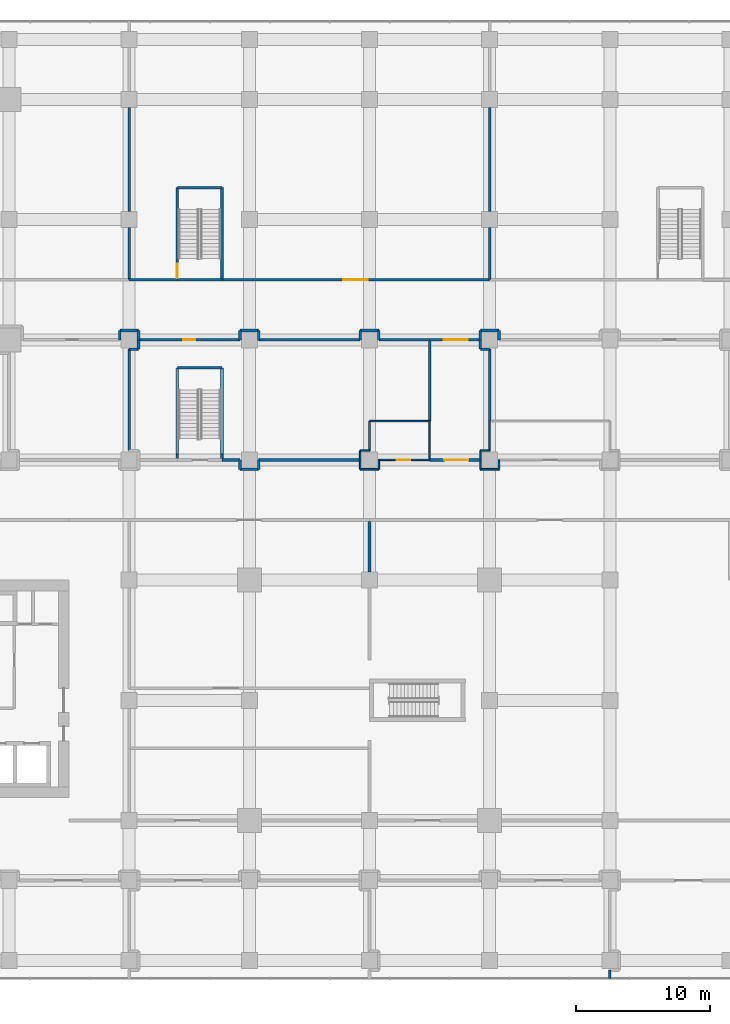
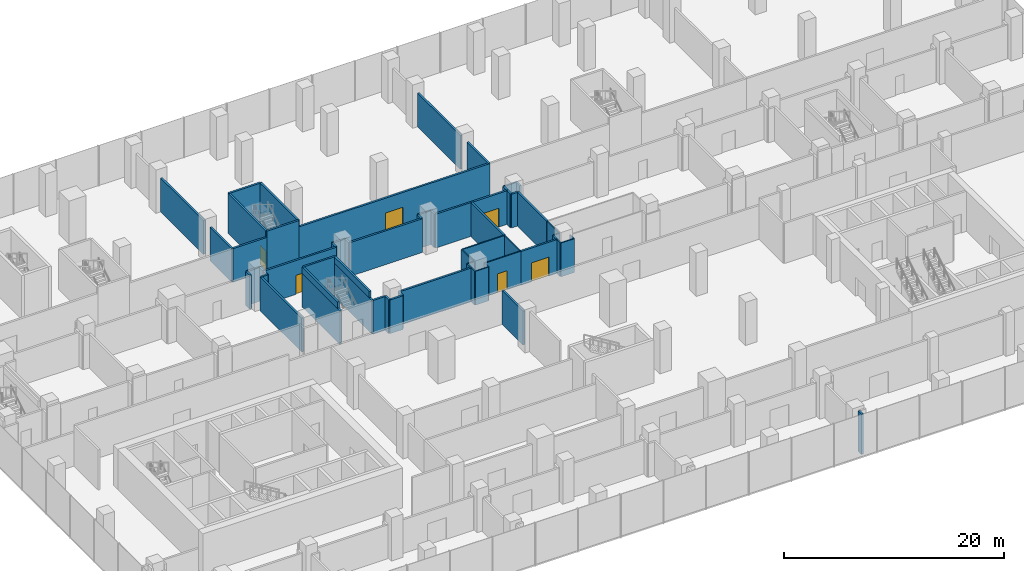
# One storey, part 32 of 42: 61 walls, 6 doors, 6 openings.
"""IFC4 building model written with IfcOpenShell, lengths in metres."""

from ifc_helpers import new_model, si_unit, direction, frame, frame_2d, origin, place, context, subcontext, project, spatial, rectangle, extrude, material, layer, layer_set, type_object, element, fill, save


model = new_model("IFC4")

# Units and contexts
model_context = context("Model", 3, precision=1e-05, world=origin(), true_north=direction((0.0, 1.0)))
body_context = subcontext(model_context, "Body", "Model", "MODEL_VIEW")
ifc_project = project(units=[si_unit("LENGTHUNIT", "METRE"), si_unit("AREAUNIT", "SQUARE_METRE"), si_unit("VOLUMEUNIT", "CUBIC_METRE"), si_unit("PLANEANGLEUNIT", "RADIAN"), si_unit("MASSUNIT", "GRAM", prefix="KILO")], contexts=[model_context])

# Site, building, storey
site_placement = place(None, origin())
site = spatial("IfcSite", under=ifc_project, at=site_placement, CompositionType="ELEMENT")
building_placement = place(site_placement, origin())
building = spatial("IfcBuilding", under=site, at=building_placement, Name="Plateau Cross Towers", CompositionType="ELEMENT")
storey_placement = place(building_placement, frame((0.0, 0.0, 8.0)))
storey = spatial("IfcBuildingStorey", under=building, at=storey_placement, Name="L01", CompositionType="ELEMENT", Elevation=8.0)

# Walls
ifc_material_1 = material(Name="Gypsum board on steel studs", Category="steel")
ifc_layer_1 = layer(ifc_material_1, 0.199951171875)
ifc_layer_set_1 = layer_set([ifc_layer_1], Name="Gypsum board on steel studs")
wall_type_1 = type_object("IfcWallType", Name="Podium partition 200", PredefinedType="PARTITIONING", material=ifc_layer_set_1)
wall_1_placement = place(storey_placement, frame((49.5, 36.0, 0.0), z_axis=(0.0, 0.0, 1.0), x_axis=(-1.0, 0.0, 0.0)))
element("IfcWall", 1, at=wall_1_placement, inside=storey, type_object=wall_type_1, Name="Partition wall", PredefinedType="PARTITIONING", context=body_context, shape_type="SweptSolid", body=[
    extrude(rectangle(XDim=3.800048828125, YDim=0.199951171875, at=frame_2d((1.89990234375, 0.0))), origin(), (0.0, 0.0, 1.0), 3.75),
])
wall_2_placement = place(storey_placement, frame((45.699951171875, 36.0, 0.0), z_axis=(0.0, 0.0, 1.0), x_axis=(0.0, 1.0, 0.0)))
element("IfcWall", 2, at=wall_2_placement, inside=storey, type_object=wall_type_1, Name="Partition wall", PredefinedType="PARTITIONING", context=body_context, shape_type="SweptSolid", body=[
    extrude(rectangle(XDim=0.699951171875, YDim=0.199951171875, at=frame_2d((0.35009765625, 0.0))), origin(), (0.0, 0.0, 1.0), 3.75),
])
wall_3_placement = place(storey_placement, frame((45.699951171875, 36.699951171875, 0.0), z_axis=(0.0, 0.0, 1.0), x_axis=(-1.0, 0.0, 0.0)))
element("IfcWall", 3, at=wall_3_placement, inside=storey, type_object=wall_type_1, Name="Partition wall", PredefinedType="PARTITIONING", context=body_context, shape_type="SweptSolid", body=[
    extrude(rectangle(XDim=1.39990234375, YDim=0.199951171875, at=frame_2d((0.699951171875, 0.0))), origin(), (0.0, 0.0, 1.0), 3.75),
])
wall_4_placement = place(storey_placement, frame((44.300048828125, 36.699951171875, 0.0), z_axis=(0.0, 0.0, 1.0), x_axis=(0.0, -1.0, 0.0)))
element("IfcWall", 4, at=wall_4_placement, inside=storey, type_object=wall_type_1, Name="Partition wall", PredefinedType="PARTITIONING", context=body_context, shape_type="SweptSolid", body=[
    extrude(rectangle(XDim=0.699951171875, YDim=0.199951171875, at=frame_2d((0.35009765625, 0.0))), origin(), (0.0, 0.0, 1.0), 3.75),
])
wall_5_placement = place(storey_placement, frame((44.300048828125, 36.0, 0.0), z_axis=(0.0, 0.0, 1.0), x_axis=(-1.0, 0.0, 0.0)))
element("IfcWall", 5, at=wall_5_placement, inside=storey, type_object=wall_type_1, Name="Partition wall", PredefinedType="PARTITIONING", context=body_context, shape_type="SweptSolid", body=[
    extrude(rectangle(XDim=7.60009765625, YDim=0.199951171875, at=frame_2d((3.800048828125, 0.0))), origin(), (0.0, 0.0, 1.0), 3.75),
])
wall_6_placement = place(storey_placement, frame((36.699951171875, 36.0, 0.0), z_axis=(0.0, 0.0, 1.0), x_axis=(0.0, 1.0, 0.0)))
element("IfcWall", 6, at=wall_6_placement, inside=storey, type_object=wall_type_1, Name="Partition wall", PredefinedType="PARTITIONING", context=body_context, shape_type="SweptSolid", body=[
    extrude(rectangle(XDim=0.699951171875, YDim=0.199951171875, at=frame_2d((0.35009765625, 0.0))), origin(), (0.0, 0.0, 1.0), 3.75),
])
wall_7_placement = place(storey_placement, frame((36.699951171875, 36.699951171875, 0.0), z_axis=(0.0, 0.0, 1.0), x_axis=(-1.0, 0.0, 0.0)))
element("IfcWall", 7, at=wall_7_placement, inside=storey, type_object=wall_type_1, Name="Partition wall", PredefinedType="PARTITIONING", context=body_context, shape_type="SweptSolid", body=[
    extrude(rectangle(XDim=1.39990234375, YDim=0.199951171875, at=frame_2d((0.699951171875, 0.0))), origin(), (0.0, 0.0, 1.0), 3.75),
])
wall_8_placement = place(storey_placement, frame((35.300048828125, 36.699951171875, 0.0), z_axis=(0.0, 0.0, 1.0), x_axis=(0.0, -1.0, 0.0)))
element("IfcWall", 8, at=wall_8_placement, inside=storey, type_object=wall_type_1, Name="Partition wall", PredefinedType="PARTITIONING", context=body_context, shape_type="SweptSolid", body=[
    extrude(rectangle(XDim=0.699951171875, YDim=0.199951171875, at=frame_2d((0.35009765625, 0.0))), origin(), (0.0, 0.0, 1.0), 3.75),
])

# Wall, opening, door
wall_9_placement = place(storey_placement, frame((35.300048828125, 36.0, 0.0), z_axis=(0.0, 0.0, 1.0), x_axis=(-1.0, 0.0, 0.0)))
wall_9 = element("IfcWall", 9, at=wall_9_placement, inside=storey, type_object=wall_type_1, Name="Partition wall", PredefinedType="PARTITIONING", context=body_context, shape_type="SweptSolid", body=[
    extrude(rectangle(XDim=7.60009765625, YDim=0.199951171875, at=frame_2d((3.800048828125, 0.0))), origin(), (0.0, 0.0, 1.0), 3.75),
])
opening_1_placement = place(wall_9_placement, frame((3.35009765625, 0.0, 0.0)))
opening_1 = element("IfcOpeningElement", 10, at=opening_1_placement, cuts=wall_9, Name="Opening 01-17", PredefinedType="OPENING", context=body_context, shape_type="SweptSolid", body=[
    extrude(rectangle(XDim=0.89990234375, YDim=2.10009765625, at=frame_2d((0.449951171875, 1.050048828125))), frame((0.0, 0.10986328125, 0.0), z_axis=(0.0, -1.0, 0.0), x_axis=(1.0, 0.0, 0.0)), (0.0, 0.0, 1.0), 0.219970703125),
])
ifc_material_2 = material(Name="Timber leaf", Category="wood")
door_type_1 = type_object("IfcDoorType", Name="Podium room door 900", OperationType="NOTDEFINED", PredefinedType="DOOR", material=ifc_material_2)
door_1_placement = place(opening_1_placement, origin())
door_1 = element("IfcDoor", 11, at=door_1_placement, inside=storey, type_object=door_type_1, Name="Door 01-17", OperationType="SINGLE_SWING_LEFT", OverallHeight=2.10009765625, OverallWidth=0.89990234375, PredefinedType="DOOR", context=body_context, shape_type="SweptSolid", body=[
    extrude(rectangle(XDim=0.89990234375, YDim=2.10009765625, at=frame_2d((0.449951171875, 1.050048828125))), frame((0.0, 0.02490234375, 0.0), z_axis=(0.0, -1.0, 0.0), x_axis=(1.0, 0.0, 0.0)), (0.0, 0.0, 1.0), 0.050048828125),
])
fill(opening_1, door_1)

# Walls
wall_10_placement = place(storey_placement, frame((54.699951171875, 36.0, 0.0), z_axis=(0.0, 0.0, 1.0), x_axis=(0.0, 1.0, 0.0)))
element("IfcWall", 12, at=wall_10_placement, inside=storey, type_object=wall_type_1, Name="Partition wall", PredefinedType="PARTITIONING", context=body_context, shape_type="SweptSolid", body=[
    extrude(rectangle(XDim=0.699951171875, YDim=0.199951171875, at=frame_2d((0.35009765625, 0.0))), origin(), (0.0, 0.0, 1.0), 3.75),
])
wall_11_placement = place(storey_placement, frame((54.699951171875, 36.699951171875, 0.0), z_axis=(0.0, 0.0, 1.0), x_axis=(-1.0, 0.0, 0.0)))
element("IfcWall", 13, at=wall_11_placement, inside=storey, type_object=wall_type_1, Name="Partition wall", PredefinedType="PARTITIONING", context=body_context, shape_type="SweptSolid", body=[
    extrude(rectangle(XDim=1.39990234375, YDim=0.199951171875, at=frame_2d((0.699951171875, 0.0))), origin(), (0.0, 0.0, 1.0), 3.75),
])
wall_12_placement = place(storey_placement, frame((53.300048828125, 36.699951171875, 0.0), z_axis=(0.0, 0.0, 1.0), x_axis=(0.0, -1.0, 0.0)))
element("IfcWall", 14, at=wall_12_placement, inside=storey, type_object=wall_type_1, Name="Partition wall", PredefinedType="PARTITIONING", context=body_context, shape_type="SweptSolid", body=[
    extrude(rectangle(XDim=0.699951171875, YDim=0.199951171875, at=frame_2d((0.35009765625, 0.0))), origin(), (0.0, 0.0, 1.0), 3.75),
])

# Wall, opening, door
wall_13_placement = place(storey_placement, frame((33.949951171875, 40.5, 0.0), z_axis=(0.0, 0.0, 1.0), x_axis=(1.0, 0.0, 0.0)))
wall_13 = element("IfcWall", 15, at=wall_13_placement, inside=storey, type_object=wall_type_1, Name="Partition wall", PredefinedType="PARTITIONING", context=body_context, shape_type="SweptSolid", body=[
    extrude(rectangle(XDim=20.050048828125, YDim=0.199951171875, at=frame_2d((10.02490234375, 0.0))), origin(), (0.0, 0.0, 1.0), 3.75),
])
opening_2_placement = place(wall_13_placement, frame((9.10009765625, 0.0, 0.0)))
opening_2 = element("IfcOpeningElement", 16, at=opening_2_placement, cuts=wall_13, Name="Opening 01-32", PredefinedType="OPENING", context=body_context, shape_type="SweptSolid", body=[
    extrude(rectangle(XDim=1.800048828125, YDim=2.10009765625, at=frame_2d((0.89990234375, 1.050048828125))), frame((0.0, 0.10986328125, 0.0), z_axis=(0.0, -1.0, 0.0), x_axis=(1.0, 0.0, 0.0)), (0.0, 0.0, 1.0), 0.219970703125),
])
ifc_material_3 = material(Name="Aluminium frame, toughened glass", Category="aluminium")
door_type_2 = type_object("IfcDoorType", Name="Podium door pair 1800", OperationType="NOTDEFINED", PredefinedType="DOOR", material=ifc_material_3)
door_2_placement = place(opening_2_placement, origin())
door_2 = element("IfcDoor", 17, at=door_2_placement, inside=storey, type_object=door_type_2, Name="Door 01-32", OperationType="DOUBLE_DOOR_SINGLE_SWING", OverallHeight=2.10009765625, OverallWidth=1.800048828125, PredefinedType="DOOR", context=body_context, shape_type="SweptSolid", body=[
    extrude(rectangle(XDim=1.800048828125, YDim=2.10009765625, at=frame_2d((0.89990234375, 1.050048828125))), frame((0.0, 0.02490234375, 0.0), z_axis=(0.0, -1.0, 0.0), x_axis=(1.0, 0.0, 0.0)), (0.0, 0.0, 1.0), 0.050048828125),
])
fill(opening_2, door_2)

# Walls
wall_14_placement = place(storey_placement, frame((54.0, 53.39990234375, 0.0), z_axis=(0.0, 0.0, 1.0), x_axis=(0.0, -1.0, 0.0)))
element("IfcWall", 18, at=wall_14_placement, inside=storey, type_object=wall_type_1, Name="Partition wall", PredefinedType="PARTITIONING", context=body_context, shape_type="SweptSolid", body=[
    extrude(rectangle(XDim=7.7998046875, YDim=0.199951171875, at=frame_2d((3.89990234375, 0.0))), origin(), (0.0, 0.0, 1.0), 3.75),
])
wall_15_placement = place(storey_placement, frame((54.0, 44.39990234375, 0.0), z_axis=(0.0, 0.0, 1.0), x_axis=(0.0, -1.0, 0.0)))
element("IfcWall", 19, at=wall_15_placement, inside=storey, type_object=wall_type_1, Name="Partition wall", PredefinedType="PARTITIONING", context=body_context, shape_type="SweptSolid", body=[
    extrude(rectangle(XDim=3.89990234375, YDim=0.199951171875, at=frame_2d((1.949951171875, 0.0))), origin(), (0.0, 0.0, 1.0), 3.75),
])
wall_16_placement = place(storey_placement, frame((27.0, 53.39990234375, 0.0), z_axis=(0.0, 0.0, 1.0), x_axis=(0.0, -1.0, 0.0)))
element("IfcWall", 20, at=wall_16_placement, inside=storey, type_object=wall_type_1, Name="Partition wall", PredefinedType="PARTITIONING", context=body_context, shape_type="SweptSolid", body=[
    extrude(rectangle(XDim=7.7998046875, YDim=0.199951171875, at=frame_2d((3.89990234375, 0.0))), origin(), (0.0, 0.0, 1.0), 3.75),
])
wall_17_placement = place(storey_placement, frame((27.0, 44.39990234375, 0.0), z_axis=(0.0, 0.0, 1.0), x_axis=(0.0, -1.0, 0.0)))
element("IfcWall", 21, at=wall_17_placement, inside=storey, type_object=wall_type_1, Name="Partition wall", PredefinedType="PARTITIONING", context=body_context, shape_type="SweptSolid", body=[
    extrude(rectangle(XDim=3.89990234375, YDim=0.199951171875, at=frame_2d((1.949951171875, 0.0))), origin(), (0.0, 0.0, 1.0), 3.75),
])
wall_18_placement = place(storey_placement, frame((27.699951171875, 36.0, 0.0), z_axis=(0.0, 0.0, 1.0), x_axis=(0.0, 1.0, 0.0)))
element("IfcWall", 22, at=wall_18_placement, inside=storey, type_object=wall_type_1, Name="Partition wall", PredefinedType="PARTITIONING", context=body_context, shape_type="SweptSolid", body=[
    extrude(rectangle(XDim=0.699951171875, YDim=0.199951171875, at=frame_2d((0.35009765625, 0.0))), origin(), (0.0, 0.0, 1.0), 3.75),
])
wall_19_placement = place(storey_placement, frame((27.699951171875, 36.699951171875, 0.0), z_axis=(0.0, 0.0, 1.0), x_axis=(-1.0, 0.0, 0.0)))
element("IfcWall", 23, at=wall_19_placement, inside=storey, type_object=wall_type_1, Name="Partition wall", PredefinedType="PARTITIONING", context=body_context, shape_type="SweptSolid", body=[
    extrude(rectangle(XDim=1.39990234375, YDim=0.199951171875, at=frame_2d((0.699951171875, 0.0))), origin(), (0.0, 0.0, 1.0), 3.75),
])
wall_20_placement = place(storey_placement, frame((26.300048828125, 36.699951171875, 0.0), z_axis=(0.0, 0.0, 1.0), x_axis=(0.0, -1.0, 0.0)))
element("IfcWall", 24, at=wall_20_placement, inside=storey, type_object=wall_type_1, Name="Partition wall", PredefinedType="PARTITIONING", context=body_context, shape_type="SweptSolid", body=[
    extrude(rectangle(XDim=0.699951171875, YDim=0.199951171875, at=frame_2d((0.35009765625, 0.0))), origin(), (0.0, 0.0, 1.0), 3.75),
])
wall_21_placement = place(storey_placement, frame((33.949951171875, 27.0, 0.0), z_axis=(0.0, 0.0, 1.0), x_axis=(1.0, 0.0, 0.0)))
element("IfcWall", 25, at=wall_21_placement, inside=storey, type_object=wall_type_1, Name="Partition wall", PredefinedType="PARTITIONING", context=body_context, shape_type="SweptSolid", body=[
    extrude(rectangle(XDim=1.35009765625, YDim=0.199951171875, at=frame_2d((0.675048828125, 0.0))), origin(), (0.0, 0.0, 1.0), 3.75),
])
wall_22_placement = place(storey_placement, frame((35.300048828125, 27.0, 0.0), z_axis=(0.0, 0.0, 1.0), x_axis=(0.0, -1.0, 0.0)))
element("IfcWall", 26, at=wall_22_placement, inside=storey, type_object=wall_type_1, Name="Partition wall", PredefinedType="PARTITIONING", context=body_context, shape_type="SweptSolid", body=[
    extrude(rectangle(XDim=0.699951171875, YDim=0.199951171875, at=frame_2d((0.35009765625, 0.0))), origin(), (0.0, 0.0, 1.0), 3.75),
])
wall_23_placement = place(storey_placement, frame((35.300048828125, 26.300048828125, 0.0), z_axis=(0.0, 0.0, 1.0), x_axis=(1.0, 0.0, 0.0)))
element("IfcWall", 27, at=wall_23_placement, inside=storey, type_object=wall_type_1, Name="Partition wall", PredefinedType="PARTITIONING", context=body_context, shape_type="SweptSolid", body=[
    extrude(rectangle(XDim=1.39990234375, YDim=0.199951171875, at=frame_2d((0.699951171875, 0.0))), origin(), (0.0, 0.0, 1.0), 3.75),
])
wall_24_placement = place(storey_placement, frame((36.699951171875, 26.300048828125, 0.0), z_axis=(0.0, 0.0, 1.0), x_axis=(0.0, 1.0, 0.0)))
element("IfcWall", 28, at=wall_24_placement, inside=storey, type_object=wall_type_1, Name="Partition wall", PredefinedType="PARTITIONING", context=body_context, shape_type="SweptSolid", body=[
    extrude(rectangle(XDim=0.699951171875, YDim=0.199951171875, at=frame_2d((0.35009765625, 0.0))), origin(), (0.0, 0.0, 1.0), 3.75),
])
wall_25_placement = place(storey_placement, frame((36.699951171875, 27.0, 0.0), z_axis=(0.0, 0.0, 1.0), x_axis=(1.0, 0.0, 0.0)))
element("IfcWall", 29, at=wall_25_placement, inside=storey, type_object=wall_type_1, Name="Partition wall", PredefinedType="PARTITIONING", context=body_context, shape_type="SweptSolid", body=[
    extrude(rectangle(XDim=7.60009765625, YDim=0.199951171875, at=frame_2d((3.800048828125, 0.0))), origin(), (0.0, 0.0, 1.0), 3.75),
])
wall_26_placement = place(storey_placement, frame((45.0, 22.39990234375, 0.0), z_axis=(0.0, 0.0, 1.0), x_axis=(0.0, -1.0, 0.0)))
element("IfcWall", 30, at=wall_26_placement, inside=storey, type_object=wall_type_1, Name="Partition wall", PredefinedType="PARTITIONING", context=body_context, shape_type="SweptSolid", body=[
    extrude(rectangle(XDim=3.7998046875, YDim=0.199951171875, at=frame_2d((1.89990234375, 0.0))), origin(), (0.0, 0.0, 1.0), 3.75),
])
for number, where, z_axis, x_axis, name in (
    (31, (27.699951171875, 36.0, 0.0), (0.0, 0.0, 1.0), (0.0, -1.0, 0.0), "Partition wall"),
    (32, (27.699951171875, 35.300048828125, 0.0), (0.0, 0.0, 1.0), (-1.0, 0.0, 0.0), "Partition wall"),
):
    element("IfcWall", number, at=place(storey_placement, frame(where, z_axis=z_axis, x_axis=x_axis)), inside=storey, type_object=wall_type_1, Name=name, PredefinedType="PARTITIONING", context=body_context, shape_type="SweptSolid", body=[
        extrude(rectangle(XDim=0.699951171875, YDim=0.199951171875, at=frame_2d((0.35009765625, 0.0))), origin(), (0.0, 0.0, 1.0), 3.75),
    ])
wall_27_placement = place(storey_placement, frame((27.0, 35.300048828125, 0.0), z_axis=(0.0, 0.0, 1.0), x_axis=(0.0, -1.0, 0.0)))
element("IfcWall", 33, at=wall_27_placement, inside=storey, type_object=wall_type_1, Name="Partition wall", PredefinedType="PARTITIONING", context=body_context, shape_type="SweptSolid", body=[
    extrude(rectangle(XDim=7.60009765625, YDim=0.199951171875, at=frame_2d((3.800048828125, 0.0))), origin(), (0.0, 0.0, 1.0), 3.75),
])
wall_28_placement = place(storey_placement, frame((63.0, -11.199951171875, 0.0), z_axis=(0.0, 0.0, 1.0), x_axis=(0.0, -1.0, 0.0)))
element("IfcWall", 34, at=wall_28_placement, inside=storey, type_object=wall_type_1, Name="Partition wall", PredefinedType="PARTITIONING", context=body_context, shape_type="SweptSolid", body=[
    extrude(rectangle(XDim=0.650146484375, YDim=0.199951171875, at=frame_2d((0.3251953125, 0.0))), origin(), (0.0, 0.0, 1.0), 4.449951171875),
])
for number, where, z_axis, x_axis, name in (
    (35, (53.300048828125, 36.0, 0.0), (0.0, 0.0, 1.0), (0.0, -1.0, 0.0), "Partition wall"),
    (36, (53.300048828125, 35.300048828125, 0.0), (0.0, 0.0, 1.0), (1.0, 0.0, 0.0), "Partition wall"),
):
    element("IfcWall", number, at=place(storey_placement, frame(where, z_axis=z_axis, x_axis=x_axis)), inside=storey, type_object=wall_type_1, Name=name, PredefinedType="PARTITIONING", context=body_context, shape_type="SweptSolid", body=[
        extrude(rectangle(XDim=0.699951171875, YDim=0.199951171875, at=frame_2d((0.35009765625, 0.0))), origin(), (0.0, 0.0, 1.0), 3.75),
    ])
wall_29_placement = place(storey_placement, frame((54.0, 35.300048828125, 0.0), z_axis=(0.0, 0.0, 1.0), x_axis=(0.0, -1.0, 0.0)))
element("IfcWall", 37, at=wall_29_placement, inside=storey, type_object=wall_type_1, Name="Partition wall", PredefinedType="PARTITIONING", context=body_context, shape_type="SweptSolid", body=[
    extrude(rectangle(XDim=5.38916015625, YDim=0.199951171875, at=frame_2d((2.694580078125, 0.0))), origin(), (0.0, 0.0, 1.0), 3.75),
])
wall_30_placement = place(storey_placement, frame((49.5, 29.910888671875, 0.0), z_axis=(0.0, 0.0, 1.0), x_axis=(0.0, 1.0, 0.0)))
element("IfcWall", 38, at=wall_30_placement, inside=storey, type_object=wall_type_1, Name="Partition wall", PredefinedType="PARTITIONING", context=body_context, shape_type="SweptSolid", body=[
    extrude(rectangle(XDim=6.089111328125, YDim=0.199951171875, at=frame_2d((3.04443359375, 0.0))), origin(), (0.0, 0.0, 1.0), 3.75),
])

# Wall, opening, door
wall_31_placement = place(storey_placement, frame((53.199951171875, 36.0, 0.0), z_axis=(0.0, 0.0, 1.0), x_axis=(-1.0, 0.0, 0.0)))
wall_31 = element("IfcWall", 39, at=wall_31_placement, inside=storey, type_object=wall_type_1, Name="Partition wall", PredefinedType="PARTITIONING", context=body_context, shape_type="SweptSolid", body=[
    extrude(rectangle(XDim=3.699951171875, YDim=0.199951171875, at=frame_2d((1.85009765625, 0.0))), origin(), (0.0, 0.0, 1.0), 3.75),
])
opening_3_placement = place(wall_31_placement, frame((0.85009765625, 0.0, 0.0)))
opening_3 = element("IfcOpeningElement", 40, at=opening_3_placement, cuts=wall_31, Name="Opening 01-38", PredefinedType="OPENING", context=body_context, shape_type="SweptSolid", body=[
    extrude(rectangle(XDim=1.800048828125, YDim=2.10009765625, at=frame_2d((0.89990234375, 1.050048828125))), frame((0.0, 0.10986328125, 0.0), z_axis=(0.0, -1.0, 0.0), x_axis=(1.0, 0.0, 0.0)), (0.0, 0.0, 1.0), 0.219970703125),
])
door_3_placement = place(opening_3_placement, origin())
door_3 = element("IfcDoor", 41, at=door_3_placement, inside=storey, type_object=door_type_2, Name="Door 01-38", OperationType="DOUBLE_DOOR_SINGLE_SWING", OverallHeight=2.10009765625, OverallWidth=1.800048828125, PredefinedType="DOOR", context=body_context, shape_type="SweptSolid", body=[
    extrude(rectangle(XDim=1.800048828125, YDim=2.10009765625, at=frame_2d((0.89990234375, 1.050048828125))), frame((0.0, 0.02490234375, 0.0), z_axis=(0.0, -1.0, 0.0), x_axis=(1.0, 0.0, 0.0)), (0.0, 0.0, 1.0), 0.050048828125),
])
fill(opening_3, door_3)

wall_32_placement = place(storey_placement, frame((49.5, 27.0, 0.0), z_axis=(0.0, 0.0, 1.0), x_axis=(1.0, 0.0, 0.0)))
wall_32 = element("IfcWall", 42, at=wall_32_placement, inside=storey, type_object=wall_type_1, Name="Partition wall", PredefinedType="PARTITIONING", context=body_context, shape_type="SweptSolid", body=[
    extrude(rectangle(XDim=3.800048828125, YDim=0.199951171875, at=frame_2d((1.89990234375, 0.0))), origin(), (0.0, 0.0, 1.0), 3.75),
])
opening_4_placement = place(wall_32_placement, frame((1.10009765625, 0.0, 0.0)))
opening_4 = element("IfcOpeningElement", 43, at=opening_4_placement, cuts=wall_32, Name="Opening 01-39", PredefinedType="OPENING", context=body_context, shape_type="SweptSolid", body=[
    extrude(rectangle(XDim=1.800048828125, YDim=2.10009765625, at=frame_2d((0.89990234375, 1.050048828125))), frame((0.0, 0.10986328125, 0.0), z_axis=(0.0, -1.0, 0.0), x_axis=(1.0, 0.0, 0.0)), (0.0, 0.0, 1.0), 0.219970703125),
])
door_4_placement = place(opening_4_placement, origin())
door_4 = element("IfcDoor", 44, at=door_4_placement, inside=storey, type_object=door_type_2, Name="Door 01-39", OperationType="DOUBLE_DOOR_SINGLE_SWING", OverallHeight=2.10009765625, OverallWidth=1.800048828125, PredefinedType="DOOR", context=body_context, shape_type="SweptSolid", body=[
    extrude(rectangle(XDim=1.800048828125, YDim=2.10009765625, at=frame_2d((0.89990234375, 1.050048828125))), frame((0.0, 0.02490234375, 0.0), z_axis=(0.0, -1.0, 0.0), x_axis=(1.0, 0.0, 0.0)), (0.0, 0.0, 1.0), 0.050048828125),
])
fill(opening_4, door_4)

# Wall
wall_33_placement = place(storey_placement, frame((27.0, 40.5, 0.0), z_axis=(0.0, 0.0, 1.0), x_axis=(1.0, 0.0, 0.0)))
element("IfcWall", 45, at=wall_33_placement, inside=storey, type_object=wall_type_1, Name="Partition wall", PredefinedType="PARTITIONING", context=body_context, shape_type="SweptSolid", body=[
    extrude(rectangle(XDim=3.60009765625, YDim=0.199951171875, at=frame_2d((1.800048828125, 0.0))), origin(), (0.0, 0.0, 1.0), 3.75),
])

# Wall, opening, door
ifc_material_4 = material(Name="Fire-rated plasterboard shaft wall system")
ifc_layer_2 = layer(ifc_material_4, 0.199951171875)
ifc_layer_set_2 = layer_set([ifc_layer_2], Name="Fire-rated plasterboard shaft wall system")
wall_type_2 = type_object("IfcWallType", Name="Podium stair shaft wall 200", PredefinedType="PARTITIONING", material=ifc_layer_set_2)
wall_34_placement = place(storey_placement, frame((30.60009765625, 40.5, 0.0), z_axis=(0.0, 0.0, 1.0), x_axis=(0.0, 1.0, 0.0)))
wall_34 = element("IfcWall", 46, at=wall_34_placement, inside=storey, type_object=wall_type_2, Name="Partition wall", PredefinedType="PARTITIONING", context=body_context, shape_type="SweptSolid", body=[
    extrude(rectangle(XDim=6.89990234375, YDim=0.199951171875, at=frame_2d((3.449951171875, 0.0))), origin(), (0.0, 0.0, 1.0), 4.449951171875),
])
opening_5_placement = place(wall_34_placement, frame((0.10009765625, 0.0, 0.0)))
opening_5 = element("IfcOpeningElement", 47, at=opening_5_placement, cuts=wall_34, Name="Opening 01-02", PredefinedType="OPENING", context=body_context, shape_type="SweptSolid", body=[
    extrude(rectangle(XDim=1.10009765625, YDim=2.10009765625, at=frame_2d((0.550048828125, 1.050048828125))), frame((0.0, 0.10986328125, 0.0), z_axis=(0.0, -1.0, 0.0), x_axis=(1.0, 0.0, 0.0)), (0.0, 0.0, 1.0), 0.219970703125),
])
ifc_material_5 = material(Name="Steel, fire-resisting leaf", Category="steel")
door_type_3 = type_object("IfcDoorType", Name="Podium stair door 1100", OperationType="NOTDEFINED", PredefinedType="DOOR", material=ifc_material_5)
door_5_placement = place(opening_5_placement, origin())
door_5 = element("IfcDoor", 48, at=door_5_placement, inside=storey, type_object=door_type_3, Name="Door 01-02", OperationType="SINGLE_SWING_LEFT", OverallHeight=2.10009765625, OverallWidth=1.10009765625, PredefinedType="DOOR", context=body_context, shape_type="SweptSolid", body=[
    extrude(rectangle(XDim=1.10009765625, YDim=2.10009765625, at=frame_2d((0.550048828125, 1.050048828125))), frame((0.0, 0.02490234375, 0.0), z_axis=(0.0, -1.0, 0.0), x_axis=(1.0, 0.0, 0.0)), (0.0, 0.0, 1.0), 0.050048828125),
])
fill(opening_5, door_5)

# Walls
wall_35_placement = place(storey_placement, frame((30.60009765625, 47.39990234375, 0.0), z_axis=(0.0, 0.0, 1.0), x_axis=(1.0, 0.0, 0.0)))
element("IfcWall", 49, at=wall_35_placement, inside=storey, type_object=wall_type_2, Name="Partition wall", PredefinedType="PARTITIONING", context=body_context, shape_type="SweptSolid", body=[
    extrude(rectangle(XDim=3.349853515625, YDim=0.199951171875, at=frame_2d((1.6748046875, 0.0))), origin(), (0.0, 0.0, 1.0), 4.449951171875),
])
wall_36_placement = place(storey_placement, frame((33.949951171875, 47.39990234375, 0.0), z_axis=(0.0, 0.0, 1.0), x_axis=(0.0, -1.0, 0.0)))
element("IfcWall", 50, at=wall_36_placement, inside=storey, type_object=wall_type_2, Name="Partition wall", PredefinedType="PARTITIONING", context=body_context, shape_type="SweptSolid", body=[
    extrude(rectangle(XDim=6.89990234375, YDim=0.199951171875, at=frame_2d((3.449951171875, 0.0))), origin(), (0.0, 0.0, 1.0), 4.449951171875),
])
wall_37_placement = place(storey_placement, frame((30.60009765625, 27.0, 0.0), z_axis=(0.0, 0.0, 1.0), x_axis=(0.0, 1.0, 0.0)))
element("IfcWall", 51, at=wall_37_placement, inside=storey, type_object=wall_type_2, Name="Partition wall", PredefinedType="PARTITIONING", context=body_context, shape_type="SweptSolid", body=[
    extrude(rectangle(XDim=6.89990234375, YDim=0.199951171875, at=frame_2d((3.449951171875, 0.0))), origin(), (0.0, 0.0, 1.0), 3.75),
])
wall_38_placement = place(storey_placement, frame((30.60009765625, 33.89990234375, 0.0), z_axis=(0.0, 0.0, 1.0), x_axis=(1.0, 0.0, 0.0)))
element("IfcWall", 52, at=wall_38_placement, inside=storey, type_object=wall_type_2, Name="Partition wall", PredefinedType="PARTITIONING", context=body_context, shape_type="SweptSolid", body=[
    extrude(rectangle(XDim=3.349853515625, YDim=0.199951171875, at=frame_2d((1.6748046875, 0.0))), origin(), (0.0, 0.0, 1.0), 4.449951171875),
])
wall_39_placement = place(storey_placement, frame((33.949951171875, 33.89990234375, 0.0), z_axis=(0.0, 0.0, 1.0), x_axis=(0.0, -1.0, 0.0)))
element("IfcWall", 53, at=wall_39_placement, inside=storey, type_object=wall_type_2, Name="Partition wall", PredefinedType="PARTITIONING", context=body_context, shape_type="SweptSolid", body=[
    extrude(rectangle(XDim=6.89990234375, YDim=0.199951171875, at=frame_2d((3.449951171875, 0.0))), origin(), (0.0, 0.0, 1.0), 3.75),
])
wall_40_placement = place(storey_placement, frame((33.949951171875, 40.5, 0.0), z_axis=(0.0, 0.0, 1.0), x_axis=(-1.0, 0.0, 0.0)))
element("IfcWall", 54, at=wall_40_placement, inside=storey, type_object=wall_type_2, Name="Partition wall", PredefinedType="PARTITIONING", context=body_context, shape_type="SweptSolid", body=[
    extrude(rectangle(XDim=3.349853515625, YDim=0.199951171875, at=frame_2d((1.6748046875, 0.0))), origin(), (0.0, 0.0, 1.0), 4.449951171875),
])
for number, where, z_axis, x_axis, name in (
    (55, (30.60009765625, 27.449951171875, 3.75), (0.0, 0.0, 1.0), (0.0, 1.0, 0.0), "Partition wall head"),
    (56, (33.949951171875, 33.89990234375, 3.75), (0.0, 0.0, 1.0), (0.0, -1.0, 0.0), "Partition wall head"),
):
    element("IfcWall", number, at=place(storey_placement, frame(where, z_axis=z_axis, x_axis=x_axis)), inside=storey, type_object=wall_type_2, Name=name, PredefinedType="PARTITIONING", context=body_context, shape_type="SweptSolid", body=[
        extrude(rectangle(XDim=6.449951171875, YDim=0.199951171875, at=frame_2d((3.22509765625, 0.0))), origin(), (0.0, 0.0, 1.0), 0.699951171875),
    ])
ifc_material_6 = material(Name="Moisture-resistant board on steel studs, tiled one side", Category="steel")
ifc_layer_3 = layer(ifc_material_6, 0.1201171875)
ifc_layer_set_3 = layer_set([ifc_layer_3], Name="Moisture-resistant board on steel studs, tiled one side")
wall_type_3 = type_object("IfcWallType", Name="Sanitary partition 120", PredefinedType="PARTITIONING", material=ifc_layer_set_3)
wall_41_placement = place(storey_placement, frame((53.300048828125, 27.0, 0.0), z_axis=(0.0, 0.0, 1.0), x_axis=(0.0, -1.0, 0.0)))
element("IfcWall", 57, at=wall_41_placement, inside=storey, type_object=wall_type_3, Name="Partition wall", PredefinedType="PARTITIONING", context=body_context, shape_type="SweptSolid", body=[
    extrude(rectangle(XDim=0.699951171875, YDim=0.1201171875, at=frame_2d((0.35009765625, 0.0))), origin(), (0.0, 0.0, 1.0), 3.75),
])
wall_42_placement = place(storey_placement, frame((53.300048828125, 26.300048828125, 0.0), z_axis=(0.0, 0.0, 1.0), x_axis=(1.0, 0.0, 0.0)))
element("IfcWall", 58, at=wall_42_placement, inside=storey, type_object=wall_type_3, Name="Partition wall", PredefinedType="PARTITIONING", context=body_context, shape_type="SweptSolid", body=[
    extrude(rectangle(XDim=1.39990234375, YDim=0.1201171875, at=frame_2d((0.699951171875, 0.0))), origin(), (0.0, 0.0, 1.0), 3.75),
])
wall_43_placement = place(storey_placement, frame((54.699951171875, 26.300048828125, 0.0), z_axis=(0.0, 0.0, 1.0), x_axis=(0.0, 1.0, 0.0)))
element("IfcWall", 59, at=wall_43_placement, inside=storey, type_object=wall_type_3, Name="Partition wall", PredefinedType="PARTITIONING", context=body_context, shape_type="SweptSolid", body=[
    extrude(rectangle(XDim=0.699951171875, YDim=0.1201171875, at=frame_2d((0.35009765625, 0.0))), origin(), (0.0, 0.0, 1.0), 3.75),
])
wall_44_placement = place(storey_placement, frame((49.5, 29.910888671875, 0.0), z_axis=(0.0, 0.0, 1.0), x_axis=(-1.0, 0.0, 0.0)))
element("IfcWall", 60, at=wall_44_placement, inside=storey, type_object=wall_type_3, Name="Partition wall", PredefinedType="PARTITIONING", context=body_context, shape_type="SweptSolid", body=[
    extrude(rectangle(XDim=4.5, YDim=0.1201171875, at=frame_2d((2.25, 0.0))), origin(), (0.0, 0.0, 1.0), 3.75),
])
wall_45_placement = place(storey_placement, frame((45.0, 29.910888671875, 0.0), z_axis=(0.0, 0.0, 1.0), x_axis=(0.0, -1.0, 0.0)))
element("IfcWall", 61, at=wall_45_placement, inside=storey, type_object=wall_type_3, Name="Partition wall", PredefinedType="PARTITIONING", context=body_context, shape_type="SweptSolid", body=[
    extrude(rectangle(XDim=2.2109375, YDim=0.1201171875, at=frame_2d((1.10546875, 0.0))), origin(), (0.0, 0.0, 1.0), 3.75),
])
for number, where, z_axis, x_axis, name in (
    (62, (45.0, 27.699951171875, 0.0), (0.0, 0.0, 1.0), (-1.0, 0.0, 0.0), "Partition wall"),
    (63, (44.300048828125, 27.699951171875, 0.0), (0.0, 0.0, 1.0), (0.0, -1.0, 0.0), "Partition wall"),
    (64, (44.300048828125, 27.0, 0.0), (0.0, 0.0, 1.0), (0.0, -1.0, 0.0), "Partition wall"),
):
    element("IfcWall", number, at=place(storey_placement, frame(where, z_axis=z_axis, x_axis=x_axis)), inside=storey, type_object=wall_type_3, Name=name, PredefinedType="PARTITIONING", context=body_context, shape_type="SweptSolid", body=[
        extrude(rectangle(XDim=0.699951171875, YDim=0.1201171875, at=frame_2d((0.35009765625, 0.0))), origin(), (0.0, 0.0, 1.0), 3.75),
    ])
wall_46_placement = place(storey_placement, frame((44.300048828125, 26.300048828125, 0.0), z_axis=(0.0, 0.0, 1.0), x_axis=(1.0, 0.0, 0.0)))
element("IfcWall", 65, at=wall_46_placement, inside=storey, type_object=wall_type_3, Name="Partition wall", PredefinedType="PARTITIONING", context=body_context, shape_type="SweptSolid", body=[
    extrude(rectangle(XDim=1.39990234375, YDim=0.1201171875, at=frame_2d((0.699951171875, 0.0))), origin(), (0.0, 0.0, 1.0), 3.75),
])
wall_47_placement = place(storey_placement, frame((45.699951171875, 26.300048828125, 0.0), z_axis=(0.0, 0.0, 1.0), x_axis=(0.0, 1.0, 0.0)))
element("IfcWall", 66, at=wall_47_placement, inside=storey, type_object=wall_type_3, Name="Partition wall", PredefinedType="PARTITIONING", context=body_context, shape_type="SweptSolid", body=[
    extrude(rectangle(XDim=0.699951171875, YDim=0.1201171875, at=frame_2d((0.35009765625, 0.0))), origin(), (0.0, 0.0, 1.0), 3.75),
])

# Wall, opening, door
wall_48_placement = place(storey_placement, frame((45.699951171875, 27.0, 0.0), z_axis=(0.0, 0.0, 1.0), x_axis=(1.0, 0.0, 0.0)))
wall_48 = element("IfcWall", 67, at=wall_48_placement, inside=storey, type_object=wall_type_3, Name="Partition wall", PredefinedType="PARTITIONING", context=body_context, shape_type="SweptSolid", body=[
    extrude(rectangle(XDim=3.800048828125, YDim=0.1201171875, at=frame_2d((1.89990234375, 0.0))), origin(), (0.0, 0.0, 1.0), 3.75),
])
opening_6_placement = place(wall_48_placement, frame((1.35009765625, 0.0, 0.0)))
opening_6 = element("IfcOpeningElement", 68, at=opening_6_placement, cuts=wall_48, Name="Opening 01-18", PredefinedType="OPENING", context=body_context, shape_type="SweptSolid", body=[
    extrude(rectangle(XDim=1.0, YDim=2.10009765625, at=frame_2d((0.5, 1.050048828125))), frame((0.0, 0.070068359375, 0.0), z_axis=(0.0, -1.0, 0.0), x_axis=(1.0, 0.0, 0.0)), (0.0, 0.0, 1.0), 0.14013671875),
])
door_type_4 = type_object("IfcDoorType", Name="Podium clinic door 1000", OperationType="NOTDEFINED", PredefinedType="DOOR", material=ifc_material_2)
door_6_placement = place(opening_6_placement, origin())
door_6 = element("IfcDoor", 69, at=door_6_placement, inside=storey, type_object=door_type_4, Name="Door 01-18", OperationType="SINGLE_SWING_LEFT", OverallHeight=2.10009765625, OverallWidth=1.0, PredefinedType="DOOR", context=body_context, shape_type="SweptSolid", body=[
    extrude(rectangle(XDim=1.0, YDim=2.10009765625, at=frame_2d((0.5, 1.050048828125))), frame((0.0, 0.02490234375, 0.0), z_axis=(0.0, -1.0, 0.0), x_axis=(1.0, 0.0, 0.0)), (0.0, 0.0, 1.0), 0.050048828125),
])
fill(opening_6, door_6)

# Walls
wall_49_placement = place(storey_placement, frame((54.0, 29.910888671875, 0.0), z_axis=(0.0, 0.0, 1.0), x_axis=(0.0, -1.0, 0.0)))
element("IfcWall", 70, at=wall_49_placement, inside=storey, type_object=wall_type_3, Name="Partition wall", PredefinedType="PARTITIONING", context=body_context, shape_type="SweptSolid", body=[
    extrude(rectangle(XDim=2.2109375, YDim=0.1201171875, at=frame_2d((1.10546875, 0.0))), origin(), (0.0, 0.0, 1.0), 3.75),
])
for number, where, z_axis, x_axis, name in (
    (71, (54.0, 27.699951171875, 0.0), (0.0, 0.0, 1.0), (-1.0, 0.0, 0.0), "Partition wall"),
    (72, (53.300048828125, 27.699951171875, 0.0), (0.0, 0.0, 1.0), (0.0, -1.0, 0.0), "Partition wall"),
):
    element("IfcWall", number, at=place(storey_placement, frame(where, z_axis=z_axis, x_axis=x_axis)), inside=storey, type_object=wall_type_3, Name=name, PredefinedType="PARTITIONING", context=body_context, shape_type="SweptSolid", body=[
        extrude(rectangle(XDim=0.699951171875, YDim=0.1201171875, at=frame_2d((0.35009765625, 0.0))), origin(), (0.0, 0.0, 1.0), 3.75),
    ])
wall_50_placement = place(storey_placement, frame((49.5, 27.10009765625, 0.0), z_axis=(0.0, 0.0, 1.0), x_axis=(0.0, 1.0, 0.0)))
element("IfcWall", 73, at=wall_50_placement, inside=storey, type_object=wall_type_3, Name="Partition wall", PredefinedType="PARTITIONING", context=body_context, shape_type="SweptSolid", body=[
    extrude(rectangle(XDim=2.810791015625, YDim=0.1201171875, at=frame_2d((1.4052734375, 0.0))), origin(), (0.0, 0.0, 1.0), 3.75),
])

save(model, "model.ifc")
